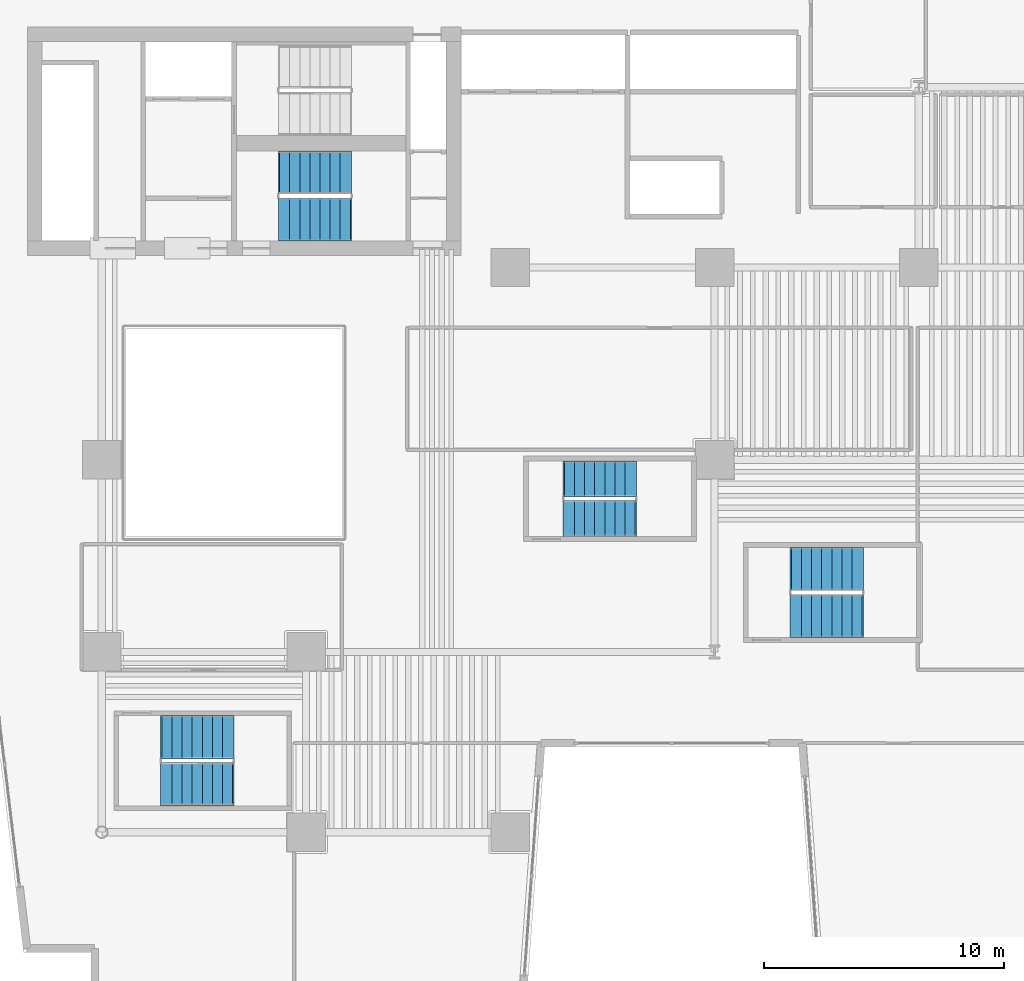
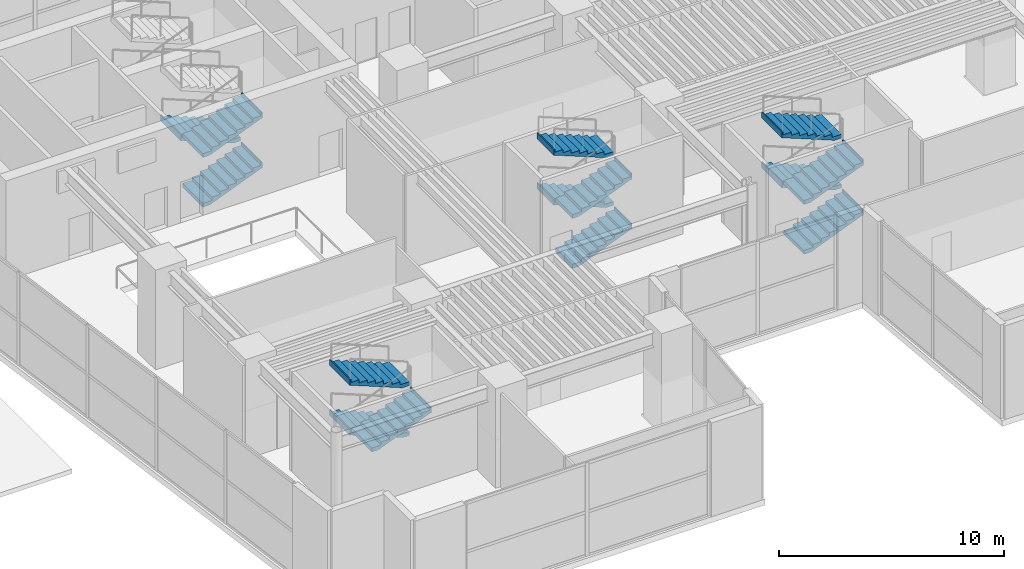
# One storey, part 12 of 17: 14 stair flights, 4 elements without a shape of their own.
"""IFC4 building model written with IfcOpenShell, lengths in metres."""

from ifc_helpers import new_model, si_unit, direction, frame, origin, place, context, subcontext, project, spatial, polyline, outline, extrude, material, type_object, element, aggregate, save


model = new_model("IFC4")

# Units and contexts
model_context = context("Model", 3, precision=1e-05, world=origin(), true_north=direction((0.0, 1.0)))
body_context = subcontext(model_context, "Body", "Model", "MODEL_VIEW")
ifc_project = project(units=[si_unit("LENGTHUNIT", "METRE"), si_unit("AREAUNIT", "SQUARE_METRE"), si_unit("VOLUMEUNIT", "CUBIC_METRE"), si_unit("PLANEANGLEUNIT", "RADIAN"), si_unit("MASSUNIT", "GRAM", prefix="KILO")], contexts=[model_context])

# Site, building, storey
site_placement = place(None, origin())
site = spatial("IfcSite", under=ifc_project, at=site_placement, CompositionType="ELEMENT")
building_placement = place(site_placement, origin())
building = spatial("IfcBuilding", under=site, at=building_placement, Name="Caeloran Harvest Quay", CompositionType="ELEMENT")
storey_placement = place(building_placement, frame((0.0, 0.0, 5.39990234375)))
storey = spatial("IfcBuildingStorey", under=building, at=storey_placement, Name="L02", CompositionType="ELEMENT", Elevation=5.39990234375)

# Stair, stair flights
ifc_material = material(Name="Concrete C50/60", Category="concrete")
stair_type_1 = type_object("IfcStairType", Name="STAIR-STC-180", PredefinedType="HALF_TURN_STAIR", material=ifc_material)
stair_1_placement = place(storey_placement, origin())
stair_1 = element("IfcStair", 1, at=stair_1_placement, inside=storey, type_object=stair_type_1, Name="L02 Core Pressurized Exit Stair ST-C2", PredefinedType="HALF_TURN_STAIR")
stair_flight_type_1 = type_object("IfcStairFlightType", Name="FLIGHT-STC-180", PredefinedType="STRAIGHT", material=ifc_material)
stair_flight_1_placement = place(storey_placement, frame((15.89990234375, 33.0, 0.0), z_axis=(0.0, 0.0, 1.0), x_axis=(1.0, 0.0, 0.0)))
stair_flight_1 = element("IfcStairFlight", 2, at=stair_flight_1_placement, type_object=stair_flight_type_1, Name="ST-C2 flight 1", NumberOfRisers=8, NumberOfTreads=7, PredefinedType="STRAIGHT", RiserHeight=0.16875, TreadLength=0.42, context=body_context, shape_type="SweptSolid", body=[
    extrude(outline(polyline([(-0.054931640625, -0.044921875), (-0.054931640625, -0.03173828125), (-0.054931640625, -0.018310546875), (-0.054931640625, -0.0048828125), (-0.054931640625, 0.008544921875), (-0.054931640625, 0.021728515625), (-0.054931640625, 0.03515625), (-0.054931640625, 0.048583984375), (-0.054931640625, 0.061767578125), (-0.054931640625, 0.0751953125), (-0.054931640625, 0.088623046875), (-0.054931640625, 0.10205078125), (-0.054931640625, 0.115234375), (-0.054931640625, 0.128662109375), (-0.054931640625, 0.14208984375), (-0.054931640625, 0.1552734375), (-0.054931640625, 0.168701171875), (0.419921875, 0.168701171875), (0.419921875, 0.33740234375), (0.840087890625, 0.33740234375), (0.840087890625, 0.50634765625), (1.260009765625, 0.50634765625), (1.260009765625, 0.675048828125), (1.679931640625, 0.675048828125), (1.679931640625, 0.84375), (2.10009765625, 0.84375), (2.10009765625, 1.012451171875), (2.52001953125, 1.012451171875), (2.52001953125, 1.18115234375), (2.93994140625, 1.18115234375), (2.93994140625, 1.35009765625), (2.9951171875, 1.35009765625), (2.9951171875, 1.329345703125), (2.9951171875, 1.30859375), (2.9951171875, 1.2880859375), (2.9951171875, 1.267333984375), (2.9951171875, 1.246826171875), (2.9951171875, 1.22607421875), (2.9951171875, 1.20556640625), (2.9951171875, 1.184814453125), (2.9951171875, 1.164306640625), (2.9951171875, 1.1435546875), (2.9951171875, 1.122802734375), (2.9951171875, 1.102294921875), (2.9951171875, 1.08154296875), (2.9951171875, 1.06103515625), (2.9951171875, 1.040283203125), (2.9951171875, 1.019775390625), (2.93994140625, 1.019775390625), (0.2900390625, -0.044921875), (-0.054931640625, -0.044921875)])), frame((0.0, 0.89990234375, 0.0), z_axis=(0.0, -1.0, 0.0), x_axis=(1.0, 0.0, 0.0)), (0.0, 0.0, 1.0), 1.800048828125),
])
stair_flight_2_placement = place(storey_placement, frame((18.840087890625, 34.949951171875, 1.35009765625), z_axis=(0.0, 0.0, 1.0), x_axis=(-1.0, 0.0, 0.0)))
stair_flight_2 = element("IfcStairFlight", 3, at=stair_flight_2_placement, type_object=stair_flight_type_1, Name="ST-C2 flight 2", NumberOfRisers=8, NumberOfTreads=7, PredefinedType="STRAIGHT", RiserHeight=0.16875, TreadLength=0.42, context=body_context, shape_type="SweptSolid", body=[
    extrude(outline(polyline([(-0.054931640625, -0.044921875), (-0.054931640625, -0.03173828125), (-0.054931640625, -0.018310546875), (-0.054931640625, -0.0048828125), (-0.054931640625, 0.008544921875), (-0.054931640625, 0.021728515625), (-0.054931640625, 0.03515625), (-0.054931640625, 0.048583984375), (-0.054931640625, 0.061767578125), (-0.054931640625, 0.0751953125), (-0.054931640625, 0.088623046875), (-0.054931640625, 0.10205078125), (-0.054931640625, 0.115234375), (-0.054931640625, 0.128662109375), (-0.054931640625, 0.14208984375), (-0.054931640625, 0.1552734375), (-0.054931640625, 0.168701171875), (0.419921875, 0.168701171875), (0.419921875, 0.33740234375), (0.840087890625, 0.33740234375), (0.840087890625, 0.50634765625), (1.260009765625, 0.50634765625), (1.260009765625, 0.675048828125), (1.679931640625, 0.675048828125), (1.679931640625, 0.84375), (2.10009765625, 0.84375), (2.10009765625, 1.012451171875), (2.52001953125, 1.012451171875), (2.52001953125, 1.18115234375), (2.93994140625, 1.18115234375), (2.93994140625, 1.35009765625), (2.9951171875, 1.35009765625), (2.9951171875, 1.329345703125), (2.9951171875, 1.30859375), (2.9951171875, 1.2880859375), (2.9951171875, 1.267333984375), (2.9951171875, 1.246826171875), (2.9951171875, 1.22607421875), (2.9951171875, 1.20556640625), (2.9951171875, 1.184814453125), (2.9951171875, 1.164306640625), (2.9951171875, 1.1435546875), (2.9951171875, 1.122802734375), (2.9951171875, 1.102294921875), (2.9951171875, 1.08154296875), (2.9951171875, 1.06103515625), (2.9951171875, 1.040283203125), (2.9951171875, 1.019775390625), (2.93994140625, 1.019775390625), (0.2900390625, -0.044921875), (-0.054931640625, -0.044921875)])), frame((0.0, 0.89990234375, 0.0), z_axis=(0.0, -1.0, 0.0), x_axis=(1.0, 0.0, 0.0)), (0.0, 0.0, 1.0), 1.800048828125),
])
stair_flight_3_placement = place(storey_placement, frame((15.89990234375, 33.0, 2.7001953125), z_axis=(0.0, 0.0, 1.0), x_axis=(1.0, 0.0, 0.0)))
stair_flight_3 = element("IfcStairFlight", 4, at=stair_flight_3_placement, type_object=stair_flight_type_1, Name="ST-C2 flight 3", NumberOfRisers=8, NumberOfTreads=7, PredefinedType="STRAIGHT", RiserHeight=0.16875, TreadLength=0.42, context=body_context, shape_type="SweptSolid", body=[
    extrude(outline(polyline([(-0.054931640625, -0.044921875), (-0.054931640625, -0.03173828125), (-0.054931640625, -0.018310546875), (-0.054931640625, -0.0048828125), (-0.054931640625, 0.008544921875), (-0.054931640625, 0.021728515625), (-0.054931640625, 0.03515625), (-0.054931640625, 0.048583984375), (-0.054931640625, 0.061767578125), (-0.054931640625, 0.0751953125), (-0.054931640625, 0.088623046875), (-0.054931640625, 0.10205078125), (-0.054931640625, 0.115234375), (-0.054931640625, 0.128662109375), (-0.054931640625, 0.14208984375), (-0.054931640625, 0.1552734375), (-0.054931640625, 0.168701171875), (0.419921875, 0.168701171875), (0.419921875, 0.33740234375), (0.840087890625, 0.33740234375), (0.840087890625, 0.50634765625), (1.260009765625, 0.50634765625), (1.260009765625, 0.675048828125), (1.679931640625, 0.675048828125), (1.679931640625, 0.84375), (2.10009765625, 0.84375), (2.10009765625, 1.012451171875), (2.52001953125, 1.012451171875), (2.52001953125, 1.18115234375), (2.93994140625, 1.18115234375), (2.93994140625, 1.35009765625), (2.9951171875, 1.35009765625), (2.9951171875, 1.329345703125), (2.9951171875, 1.30859375), (2.9951171875, 1.2880859375), (2.9951171875, 1.267333984375), (2.9951171875, 1.246826171875), (2.9951171875, 1.22607421875), (2.9951171875, 1.20556640625), (2.9951171875, 1.184814453125), (2.9951171875, 1.164306640625), (2.9951171875, 1.1435546875), (2.9951171875, 1.122802734375), (2.9951171875, 1.102294921875), (2.9951171875, 1.08154296875), (2.9951171875, 1.06103515625), (2.9951171875, 1.040283203125), (2.9951171875, 1.019775390625), (2.93994140625, 1.019775390625), (0.2900390625, -0.044921875), (-0.054931640625, -0.044921875)])), frame((0.0, 0.89990234375, 0.0), z_axis=(0.0, -1.0, 0.0), x_axis=(1.0, 0.0, 0.0)), (0.0, 0.0, 1.0), 1.800048828125),
])
aggregate(stair_1, [stair_flight_1, stair_flight_2, stair_flight_3])

stair_type_2 = type_object("IfcStairType", Name="STAIR-STP-180", PredefinedType="HALF_TURN_STAIR", material=ifc_material)
stair_2_placement = place(storey_placement, origin())
stair_2 = element("IfcStair", 5, at=stair_2_placement, inside=storey, type_object=stair_type_2, Name="L02 Podium West Public Exit Stair ST-P1", PredefinedType="HALF_TURN_STAIR")
stair_flight_type_2 = type_object("IfcStairFlightType", Name="FLIGHT-STP-180", PredefinedType="STRAIGHT", material=ifc_material)
stair_flight_4_placement = place(storey_placement, frame((13.93994140625, 11.449951171875, 1.35009765625), z_axis=(0.0, 0.0, 1.0), x_axis=(-1.0, 0.0, 0.0)))
stair_flight_4 = element("IfcStairFlight", 6, at=stair_flight_4_placement, type_object=stair_flight_type_2, Name="ST-P1 flight 2", NumberOfRisers=8, NumberOfTreads=7, PredefinedType="STRAIGHT", RiserHeight=0.16875, TreadLength=0.42, context=body_context, shape_type="SweptSolid", body=[
    extrude(outline(polyline([(-0.054931640625, -0.044921875), (-0.054931640625, -0.03173828125), (-0.054931640625, -0.018310546875), (-0.054931640625, -0.0048828125), (-0.054931640625, 0.008544921875), (-0.054931640625, 0.021728515625), (-0.054931640625, 0.03515625), (-0.054931640625, 0.048583984375), (-0.054931640625, 0.061767578125), (-0.054931640625, 0.0751953125), (-0.054931640625, 0.088623046875), (-0.054931640625, 0.10205078125), (-0.054931640625, 0.115234375), (-0.054931640625, 0.128662109375), (-0.054931640625, 0.14208984375), (-0.054931640625, 0.1552734375), (-0.054931640625, 0.168701171875), (0.419921875, 0.168701171875), (0.419921875, 0.33740234375), (0.840087890625, 0.33740234375), (0.840087890625, 0.50634765625), (1.260009765625, 0.50634765625), (1.260009765625, 0.675048828125), (1.679931640625, 0.675048828125), (1.679931640625, 0.84375), (2.10009765625, 0.84375), (2.10009765625, 1.012451171875), (2.52001953125, 1.012451171875), (2.52001953125, 1.18115234375), (2.93994140625, 1.18115234375), (2.93994140625, 1.35009765625), (2.9951171875, 1.35009765625), (2.9951171875, 1.329345703125), (2.9951171875, 1.30859375), (2.9951171875, 1.2880859375), (2.9951171875, 1.267333984375), (2.9951171875, 1.246826171875), (2.9951171875, 1.22607421875), (2.9951171875, 1.20556640625), (2.9951171875, 1.184814453125), (2.9951171875, 1.164306640625), (2.9951171875, 1.1435546875), (2.9951171875, 1.122802734375), (2.9951171875, 1.102294921875), (2.9951171875, 1.08154296875), (2.9951171875, 1.06103515625), (2.9951171875, 1.040283203125), (2.9951171875, 1.019775390625), (2.93994140625, 1.019775390625), (0.2900390625, -0.044921875), (-0.054931640625, -0.044921875)])), frame((0.0, 0.89990234375, 0.0), z_axis=(0.0, -1.0, 0.0), x_axis=(1.0, 0.0, 0.0)), (0.0, 0.0, 1.0), 1.800048828125),
])
stair_flight_5_placement = place(storey_placement, frame((11.0, 9.5, 2.7001953125), z_axis=(0.0, 0.0, 1.0), x_axis=(1.0, 0.0, 0.0)))
stair_flight_5 = element("IfcStairFlight", 7, at=stair_flight_5_placement, type_object=stair_flight_type_2, Name="ST-P1 flight 3", NumberOfRisers=8, NumberOfTreads=7, PredefinedType="STRAIGHT", RiserHeight=0.16875, TreadLength=0.42, context=body_context, shape_type="SweptSolid", body=[
    extrude(outline(polyline([(-0.054931640625, -0.044921875), (-0.054931640625, -0.03173828125), (-0.054931640625, -0.018310546875), (-0.054931640625, -0.0048828125), (-0.054931640625, 0.008544921875), (-0.054931640625, 0.021728515625), (-0.054931640625, 0.03515625), (-0.054931640625, 0.048583984375), (-0.054931640625, 0.061767578125), (-0.054931640625, 0.0751953125), (-0.054931640625, 0.088623046875), (-0.054931640625, 0.10205078125), (-0.054931640625, 0.115234375), (-0.054931640625, 0.128662109375), (-0.054931640625, 0.14208984375), (-0.054931640625, 0.1552734375), (-0.054931640625, 0.168701171875), (0.419921875, 0.168701171875), (0.419921875, 0.33740234375), (0.840087890625, 0.33740234375), (0.840087890625, 0.50634765625), (1.260009765625, 0.50634765625), (1.260009765625, 0.675048828125), (1.679931640625, 0.675048828125), (1.679931640625, 0.84375), (2.10009765625, 0.84375), (2.10009765625, 1.012451171875), (2.52001953125, 1.012451171875), (2.52001953125, 1.18115234375), (2.93994140625, 1.18115234375), (2.93994140625, 1.35009765625), (2.9951171875, 1.35009765625), (2.9951171875, 1.329345703125), (2.9951171875, 1.30859375), (2.9951171875, 1.2880859375), (2.9951171875, 1.267333984375), (2.9951171875, 1.246826171875), (2.9951171875, 1.22607421875), (2.9951171875, 1.20556640625), (2.9951171875, 1.184814453125), (2.9951171875, 1.164306640625), (2.9951171875, 1.1435546875), (2.9951171875, 1.122802734375), (2.9951171875, 1.102294921875), (2.9951171875, 1.08154296875), (2.9951171875, 1.06103515625), (2.9951171875, 1.040283203125), (2.9951171875, 1.019775390625), (2.93994140625, 1.019775390625), (0.2900390625, -0.044921875), (-0.054931640625, -0.044921875)])), frame((0.0, 0.89990234375, 0.0), z_axis=(0.0, -1.0, 0.0), x_axis=(1.0, 0.0, 0.0)), (0.0, 0.0, 1.0), 1.800048828125),
])
stair_flight_6_placement = place(storey_placement, frame((13.93994140625, 11.449951171875, 4.050048828125), z_axis=(0.0, 0.0, 1.0), x_axis=(-1.0, 0.0, 0.0)))
stair_flight_6 = element("IfcStairFlight", 8, at=stair_flight_6_placement, type_object=stair_flight_type_2, Name="ST-P1 flight 4", NumberOfRisers=8, NumberOfTreads=7, PredefinedType="STRAIGHT", RiserHeight=0.16875, TreadLength=0.42, context=body_context, shape_type="SweptSolid", body=[
    extrude(outline(polyline([(-0.054931640625, -0.044921875), (-0.054931640625, -0.03173828125), (-0.054931640625, -0.018310546875), (-0.054931640625, -0.0048828125), (-0.054931640625, 0.008544921875), (-0.054931640625, 0.021728515625), (-0.054931640625, 0.03515625), (-0.054931640625, 0.048583984375), (-0.054931640625, 0.061767578125), (-0.054931640625, 0.0751953125), (-0.054931640625, 0.088623046875), (-0.054931640625, 0.10205078125), (-0.054931640625, 0.115234375), (-0.054931640625, 0.128662109375), (-0.054931640625, 0.14208984375), (-0.054931640625, 0.1552734375), (-0.054931640625, 0.168701171875), (0.419921875, 0.168701171875), (0.419921875, 0.33740234375), (0.840087890625, 0.33740234375), (0.840087890625, 0.50634765625), (1.260009765625, 0.50634765625), (1.260009765625, 0.675048828125), (1.679931640625, 0.675048828125), (1.679931640625, 0.84375), (2.10009765625, 0.84375), (2.10009765625, 1.012451171875), (2.52001953125, 1.012451171875), (2.52001953125, 1.18115234375), (2.93994140625, 1.18115234375), (2.93994140625, 1.35009765625), (2.9951171875, 1.35009765625), (2.9951171875, 1.329345703125), (2.9951171875, 1.30859375), (2.9951171875, 1.2880859375), (2.9951171875, 1.267333984375), (2.9951171875, 1.246826171875), (2.9951171875, 1.22607421875), (2.9951171875, 1.20556640625), (2.9951171875, 1.184814453125), (2.9951171875, 1.164306640625), (2.9951171875, 1.1435546875), (2.9951171875, 1.122802734375), (2.9951171875, 1.102294921875), (2.9951171875, 1.08154296875), (2.9951171875, 1.06103515625), (2.9951171875, 1.040283203125), (2.9951171875, 1.019775390625), (2.93994140625, 1.019775390625), (0.2900390625, -0.044921875), (-0.054931640625, -0.044921875)])), frame((0.0, 0.89990234375, 0.0), z_axis=(0.0, -1.0, 0.0), x_axis=(1.0, 0.0, 0.0)), (0.0, 0.0, 1.0), 1.800048828125),
])
aggregate(stair_2, [stair_flight_4, stair_flight_5, stair_flight_6])

stair_3_placement = place(storey_placement, origin())
stair_3 = element("IfcStair", 9, at=stair_3_placement, inside=storey, type_object=stair_type_2, Name="L02 Podium East Public Exit Stair ST-P2", PredefinedType="HALF_TURN_STAIR")
stair_flight_7_placement = place(storey_placement, frame((37.199951171875, 16.5, 0.0), z_axis=(0.0, 0.0, 1.0), x_axis=(1.0, 0.0, 0.0)))
stair_flight_7 = element("IfcStairFlight", 10, at=stair_flight_7_placement, type_object=stair_flight_type_2, Name="ST-P2 flight 1", NumberOfRisers=8, NumberOfTreads=7, PredefinedType="STRAIGHT", RiserHeight=0.16875, TreadLength=0.42, context=body_context, shape_type="SweptSolid", body=[
    extrude(outline(polyline([(-0.054931640625, -0.044921875), (-0.054931640625, -0.03173828125), (-0.054931640625, -0.018310546875), (-0.054931640625, -0.0048828125), (-0.054931640625, 0.008544921875), (-0.054931640625, 0.021728515625), (-0.054931640625, 0.03515625), (-0.054931640625, 0.048583984375), (-0.054931640625, 0.061767578125), (-0.054931640625, 0.0751953125), (-0.054931640625, 0.088623046875), (-0.054931640625, 0.10205078125), (-0.054931640625, 0.115234375), (-0.054931640625, 0.128662109375), (-0.054931640625, 0.14208984375), (-0.054931640625, 0.1552734375), (-0.054931640625, 0.168701171875), (0.419921875, 0.168701171875), (0.419921875, 0.33740234375), (0.840087890625, 0.33740234375), (0.840087890625, 0.50634765625), (1.260009765625, 0.50634765625), (1.260009765625, 0.675048828125), (1.679931640625, 0.675048828125), (1.679931640625, 0.84375), (2.10009765625, 0.84375), (2.10009765625, 1.012451171875), (2.52001953125, 1.012451171875), (2.52001953125, 1.18115234375), (2.93994140625, 1.18115234375), (2.93994140625, 1.35009765625), (2.9951171875, 1.35009765625), (2.9951171875, 1.329345703125), (2.9951171875, 1.30859375), (2.9951171875, 1.2880859375), (2.9951171875, 1.267333984375), (2.9951171875, 1.246826171875), (2.9951171875, 1.22607421875), (2.9951171875, 1.20556640625), (2.9951171875, 1.184814453125), (2.9951171875, 1.164306640625), (2.9951171875, 1.1435546875), (2.9951171875, 1.122802734375), (2.9951171875, 1.102294921875), (2.9951171875, 1.08154296875), (2.9951171875, 1.06103515625), (2.9951171875, 1.040283203125), (2.9951171875, 1.019775390625), (2.93994140625, 1.019775390625), (0.2900390625, -0.044921875), (-0.054931640625, -0.044921875)])), frame((0.0, 0.89990234375, 0.0), z_axis=(0.0, -1.0, 0.0), x_axis=(1.0, 0.0, 0.0)), (0.0, 0.0, 1.0), 1.800048828125),
])
stair_flight_8_placement = place(storey_placement, frame((40.139892578125, 18.449951171875, 1.35009765625), z_axis=(0.0, 0.0, 1.0), x_axis=(-1.0, 0.0, 0.0)))
stair_flight_8 = element("IfcStairFlight", 11, at=stair_flight_8_placement, type_object=stair_flight_type_2, Name="ST-P2 flight 2", NumberOfRisers=8, NumberOfTreads=7, PredefinedType="STRAIGHT", RiserHeight=0.16875, TreadLength=0.42, context=body_context, shape_type="SweptSolid", body=[
    extrude(outline(polyline([(-0.054931640625, -0.044921875), (-0.054931640625, -0.03173828125), (-0.054931640625, -0.018310546875), (-0.054931640625, -0.0048828125), (-0.054931640625, 0.008544921875), (-0.054931640625, 0.021728515625), (-0.054931640625, 0.03515625), (-0.054931640625, 0.048583984375), (-0.054931640625, 0.061767578125), (-0.054931640625, 0.0751953125), (-0.054931640625, 0.088623046875), (-0.054931640625, 0.10205078125), (-0.054931640625, 0.115234375), (-0.054931640625, 0.128662109375), (-0.054931640625, 0.14208984375), (-0.054931640625, 0.1552734375), (-0.054931640625, 0.168701171875), (0.419921875, 0.168701171875), (0.419921875, 0.33740234375), (0.840087890625, 0.33740234375), (0.840087890625, 0.50634765625), (1.260009765625, 0.50634765625), (1.260009765625, 0.675048828125), (1.679931640625, 0.675048828125), (1.679931640625, 0.84375), (2.10009765625, 0.84375), (2.10009765625, 1.012451171875), (2.52001953125, 1.012451171875), (2.52001953125, 1.18115234375), (2.93994140625, 1.18115234375), (2.93994140625, 1.35009765625), (2.9951171875, 1.35009765625), (2.9951171875, 1.329345703125), (2.9951171875, 1.30859375), (2.9951171875, 1.2880859375), (2.9951171875, 1.267333984375), (2.9951171875, 1.246826171875), (2.9951171875, 1.22607421875), (2.9951171875, 1.20556640625), (2.9951171875, 1.184814453125), (2.9951171875, 1.164306640625), (2.9951171875, 1.1435546875), (2.9951171875, 1.122802734375), (2.9951171875, 1.102294921875), (2.9951171875, 1.08154296875), (2.9951171875, 1.06103515625), (2.9951171875, 1.040283203125), (2.9951171875, 1.019775390625), (2.93994140625, 1.019775390625), (0.2900390625, -0.044921875), (-0.054931640625, -0.044921875)])), frame((0.0, 0.89990234375, 0.0), z_axis=(0.0, -1.0, 0.0), x_axis=(1.0, 0.0, 0.0)), (0.0, 0.0, 1.0), 1.800048828125),
])
stair_flight_9_placement = place(storey_placement, frame((37.199951171875, 16.5, 2.7001953125), z_axis=(0.0, 0.0, 1.0), x_axis=(1.0, 0.0, 0.0)))
stair_flight_9 = element("IfcStairFlight", 12, at=stair_flight_9_placement, type_object=stair_flight_type_2, Name="ST-P2 flight 3", NumberOfRisers=8, NumberOfTreads=7, PredefinedType="STRAIGHT", RiserHeight=0.16875, TreadLength=0.42, context=body_context, shape_type="SweptSolid", body=[
    extrude(outline(polyline([(-0.054931640625, -0.044921875), (-0.054931640625, -0.03173828125), (-0.054931640625, -0.018310546875), (-0.054931640625, -0.0048828125), (-0.054931640625, 0.008544921875), (-0.054931640625, 0.021728515625), (-0.054931640625, 0.03515625), (-0.054931640625, 0.048583984375), (-0.054931640625, 0.061767578125), (-0.054931640625, 0.0751953125), (-0.054931640625, 0.088623046875), (-0.054931640625, 0.10205078125), (-0.054931640625, 0.115234375), (-0.054931640625, 0.128662109375), (-0.054931640625, 0.14208984375), (-0.054931640625, 0.1552734375), (-0.054931640625, 0.168701171875), (0.419921875, 0.168701171875), (0.419921875, 0.33740234375), (0.840087890625, 0.33740234375), (0.840087890625, 0.50634765625), (1.260009765625, 0.50634765625), (1.260009765625, 0.675048828125), (1.679931640625, 0.675048828125), (1.679931640625, 0.84375), (2.10009765625, 0.84375), (2.10009765625, 1.012451171875), (2.52001953125, 1.012451171875), (2.52001953125, 1.18115234375), (2.93994140625, 1.18115234375), (2.93994140625, 1.35009765625), (2.9951171875, 1.35009765625), (2.9951171875, 1.329345703125), (2.9951171875, 1.30859375), (2.9951171875, 1.2880859375), (2.9951171875, 1.267333984375), (2.9951171875, 1.246826171875), (2.9951171875, 1.22607421875), (2.9951171875, 1.20556640625), (2.9951171875, 1.184814453125), (2.9951171875, 1.164306640625), (2.9951171875, 1.1435546875), (2.9951171875, 1.122802734375), (2.9951171875, 1.102294921875), (2.9951171875, 1.08154296875), (2.9951171875, 1.06103515625), (2.9951171875, 1.040283203125), (2.9951171875, 1.019775390625), (2.93994140625, 1.019775390625), (0.2900390625, -0.044921875), (-0.054931640625, -0.044921875)])), frame((0.0, 0.89990234375, 0.0), z_axis=(0.0, -1.0, 0.0), x_axis=(1.0, 0.0, 0.0)), (0.0, 0.0, 1.0), 1.800048828125),
])
stair_flight_10_placement = place(storey_placement, frame((40.139892578125, 18.449951171875, 4.050048828125), z_axis=(0.0, 0.0, 1.0), x_axis=(-1.0, 0.0, 0.0)))
stair_flight_10 = element("IfcStairFlight", 13, at=stair_flight_10_placement, type_object=stair_flight_type_2, Name="ST-P2 flight 4", NumberOfRisers=8, NumberOfTreads=7, PredefinedType="STRAIGHT", RiserHeight=0.16875, TreadLength=0.42, context=body_context, shape_type="SweptSolid", body=[
    extrude(outline(polyline([(-0.054931640625, -0.044921875), (-0.054931640625, -0.03173828125), (-0.054931640625, -0.018310546875), (-0.054931640625, -0.0048828125), (-0.054931640625, 0.008544921875), (-0.054931640625, 0.021728515625), (-0.054931640625, 0.03515625), (-0.054931640625, 0.048583984375), (-0.054931640625, 0.061767578125), (-0.054931640625, 0.0751953125), (-0.054931640625, 0.088623046875), (-0.054931640625, 0.10205078125), (-0.054931640625, 0.115234375), (-0.054931640625, 0.128662109375), (-0.054931640625, 0.14208984375), (-0.054931640625, 0.1552734375), (-0.054931640625, 0.168701171875), (0.419921875, 0.168701171875), (0.419921875, 0.33740234375), (0.840087890625, 0.33740234375), (0.840087890625, 0.50634765625), (1.260009765625, 0.50634765625), (1.260009765625, 0.675048828125), (1.679931640625, 0.675048828125), (1.679931640625, 0.84375), (2.10009765625, 0.84375), (2.10009765625, 1.012451171875), (2.52001953125, 1.012451171875), (2.52001953125, 1.18115234375), (2.93994140625, 1.18115234375), (2.93994140625, 1.35009765625), (2.9951171875, 1.35009765625), (2.9951171875, 1.329345703125), (2.9951171875, 1.30859375), (2.9951171875, 1.2880859375), (2.9951171875, 1.267333984375), (2.9951171875, 1.246826171875), (2.9951171875, 1.22607421875), (2.9951171875, 1.20556640625), (2.9951171875, 1.184814453125), (2.9951171875, 1.164306640625), (2.9951171875, 1.1435546875), (2.9951171875, 1.122802734375), (2.9951171875, 1.102294921875), (2.9951171875, 1.08154296875), (2.9951171875, 1.06103515625), (2.9951171875, 1.040283203125), (2.9951171875, 1.019775390625), (2.93994140625, 1.019775390625), (0.2900390625, -0.044921875), (-0.054931640625, -0.044921875)])), frame((0.0, 0.89990234375, 0.0), z_axis=(0.0, -1.0, 0.0), x_axis=(1.0, 0.0, 0.0)), (0.0, 0.0, 1.0), 1.800048828125),
])
aggregate(stair_3, [stair_flight_7, stair_flight_8, stair_flight_9, stair_flight_10])

stair_type_3 = type_object("IfcStairType", Name="STAIR-STW-150", PredefinedType="HALF_TURN_STAIR", material=ifc_material)
stair_4_placement = place(storey_placement, origin())
stair_4 = element("IfcStair", 14, at=stair_4_placement, inside=storey, type_object=stair_type_3, Name="L02 East Wing Protected Exit Stair ST-W1", PredefinedType="HALF_TURN_STAIR")
stair_flight_type_3 = type_object("IfcStairFlightType", Name="FLIGHT-STW-150", PredefinedType="STRAIGHT", material=ifc_material)
stair_flight_11_placement = place(storey_placement, frame((27.75, 20.550048828125, 0.0), z_axis=(0.0, 0.0, 1.0), x_axis=(1.0, 0.0, 0.0)))
stair_flight_11 = element("IfcStairFlight", 15, at=stair_flight_11_placement, type_object=stair_flight_type_3, Name="ST-W1 flight 1", NumberOfRisers=8, NumberOfTreads=7, PredefinedType="STRAIGHT", RiserHeight=0.16875, TreadLength=0.42, context=body_context, shape_type="SweptSolid", body=[
    extrude(outline(polyline([(-0.054931640625, -0.044921875), (-0.054931640625, -0.03173828125), (-0.054931640625, -0.018310546875), (-0.054931640625, -0.0048828125), (-0.054931640625, 0.008544921875), (-0.054931640625, 0.021728515625), (-0.054931640625, 0.03515625), (-0.054931640625, 0.048583984375), (-0.054931640625, 0.061767578125), (-0.054931640625, 0.0751953125), (-0.054931640625, 0.088623046875), (-0.054931640625, 0.10205078125), (-0.054931640625, 0.115234375), (-0.054931640625, 0.128662109375), (-0.054931640625, 0.14208984375), (-0.054931640625, 0.1552734375), (-0.054931640625, 0.168701171875), (0.419921875, 0.168701171875), (0.419921875, 0.33740234375), (0.840087890625, 0.33740234375), (0.840087890625, 0.50634765625), (1.260009765625, 0.50634765625), (1.260009765625, 0.675048828125), (1.679931640625, 0.675048828125), (1.679931640625, 0.84375), (2.10009765625, 0.84375), (2.10009765625, 1.012451171875), (2.52001953125, 1.012451171875), (2.52001953125, 1.18115234375), (2.93994140625, 1.18115234375), (2.93994140625, 1.35009765625), (2.9951171875, 1.35009765625), (2.9951171875, 1.329345703125), (2.9951171875, 1.30859375), (2.9951171875, 1.2880859375), (2.9951171875, 1.267333984375), (2.9951171875, 1.246826171875), (2.9951171875, 1.22607421875), (2.9951171875, 1.20556640625), (2.9951171875, 1.184814453125), (2.9951171875, 1.164306640625), (2.9951171875, 1.1435546875), (2.9951171875, 1.122802734375), (2.9951171875, 1.102294921875), (2.9951171875, 1.08154296875), (2.9951171875, 1.06103515625), (2.9951171875, 1.040283203125), (2.9951171875, 1.019775390625), (2.93994140625, 1.019775390625), (0.2900390625, -0.044921875), (-0.054931640625, -0.044921875)])), frame((0.0, 0.75, 0.0), z_axis=(0.0, -1.0, 0.0), x_axis=(1.0, 0.0, 0.0)), (0.0, 0.0, 1.0), 1.5),
])
stair_flight_12_placement = place(storey_placement, frame((30.68994140625, 22.199951171875, 1.35009765625), z_axis=(0.0, 0.0, 1.0), x_axis=(-1.0, 0.0, 0.0)))
stair_flight_12 = element("IfcStairFlight", 16, at=stair_flight_12_placement, type_object=stair_flight_type_3, Name="ST-W1 flight 2", NumberOfRisers=8, NumberOfTreads=7, PredefinedType="STRAIGHT", RiserHeight=0.16875, TreadLength=0.42, context=body_context, shape_type="SweptSolid", body=[
    extrude(outline(polyline([(-0.054931640625, -0.044921875), (-0.054931640625, -0.03173828125), (-0.054931640625, -0.018310546875), (-0.054931640625, -0.0048828125), (-0.054931640625, 0.008544921875), (-0.054931640625, 0.021728515625), (-0.054931640625, 0.03515625), (-0.054931640625, 0.048583984375), (-0.054931640625, 0.061767578125), (-0.054931640625, 0.0751953125), (-0.054931640625, 0.088623046875), (-0.054931640625, 0.10205078125), (-0.054931640625, 0.115234375), (-0.054931640625, 0.128662109375), (-0.054931640625, 0.14208984375), (-0.054931640625, 0.1552734375), (-0.054931640625, 0.168701171875), (0.419921875, 0.168701171875), (0.419921875, 0.33740234375), (0.840087890625, 0.33740234375), (0.840087890625, 0.50634765625), (1.260009765625, 0.50634765625), (1.260009765625, 0.675048828125), (1.679931640625, 0.675048828125), (1.679931640625, 0.84375), (2.10009765625, 0.84375), (2.10009765625, 1.012451171875), (2.52001953125, 1.012451171875), (2.52001953125, 1.18115234375), (2.93994140625, 1.18115234375), (2.93994140625, 1.35009765625), (2.9951171875, 1.35009765625), (2.9951171875, 1.329345703125), (2.9951171875, 1.30859375), (2.9951171875, 1.2880859375), (2.9951171875, 1.267333984375), (2.9951171875, 1.246826171875), (2.9951171875, 1.22607421875), (2.9951171875, 1.20556640625), (2.9951171875, 1.184814453125), (2.9951171875, 1.164306640625), (2.9951171875, 1.1435546875), (2.9951171875, 1.122802734375), (2.9951171875, 1.102294921875), (2.9951171875, 1.08154296875), (2.9951171875, 1.06103515625), (2.9951171875, 1.040283203125), (2.9951171875, 1.019775390625), (2.93994140625, 1.019775390625), (0.2900390625, -0.044921875), (-0.054931640625, -0.044921875)])), frame((0.0, 0.75, 0.0), z_axis=(0.0, -1.0, 0.0), x_axis=(1.0, 0.0, 0.0)), (0.0, 0.0, 1.0), 1.5),
])
stair_flight_13_placement = place(storey_placement, frame((27.75, 20.550048828125, 2.7001953125), z_axis=(0.0, 0.0, 1.0), x_axis=(1.0, 0.0, 0.0)))
stair_flight_13 = element("IfcStairFlight", 17, at=stair_flight_13_placement, type_object=stair_flight_type_3, Name="ST-W1 flight 3", NumberOfRisers=8, NumberOfTreads=7, PredefinedType="STRAIGHT", RiserHeight=0.16875, TreadLength=0.42, context=body_context, shape_type="SweptSolid", body=[
    extrude(outline(polyline([(-0.054931640625, -0.044921875), (-0.054931640625, -0.03173828125), (-0.054931640625, -0.018310546875), (-0.054931640625, -0.0048828125), (-0.054931640625, 0.008544921875), (-0.054931640625, 0.021728515625), (-0.054931640625, 0.03515625), (-0.054931640625, 0.048583984375), (-0.054931640625, 0.061767578125), (-0.054931640625, 0.0751953125), (-0.054931640625, 0.088623046875), (-0.054931640625, 0.10205078125), (-0.054931640625, 0.115234375), (-0.054931640625, 0.128662109375), (-0.054931640625, 0.14208984375), (-0.054931640625, 0.1552734375), (-0.054931640625, 0.168701171875), (0.419921875, 0.168701171875), (0.419921875, 0.33740234375), (0.840087890625, 0.33740234375), (0.840087890625, 0.50634765625), (1.260009765625, 0.50634765625), (1.260009765625, 0.675048828125), (1.679931640625, 0.675048828125), (1.679931640625, 0.84375), (2.10009765625, 0.84375), (2.10009765625, 1.012451171875), (2.52001953125, 1.012451171875), (2.52001953125, 1.18115234375), (2.93994140625, 1.18115234375), (2.93994140625, 1.35009765625), (2.9951171875, 1.35009765625), (2.9951171875, 1.329345703125), (2.9951171875, 1.30859375), (2.9951171875, 1.2880859375), (2.9951171875, 1.267333984375), (2.9951171875, 1.246826171875), (2.9951171875, 1.22607421875), (2.9951171875, 1.20556640625), (2.9951171875, 1.184814453125), (2.9951171875, 1.164306640625), (2.9951171875, 1.1435546875), (2.9951171875, 1.122802734375), (2.9951171875, 1.102294921875), (2.9951171875, 1.08154296875), (2.9951171875, 1.06103515625), (2.9951171875, 1.040283203125), (2.9951171875, 1.019775390625), (2.93994140625, 1.019775390625), (0.2900390625, -0.044921875), (-0.054931640625, -0.044921875)])), frame((0.0, 0.75, 0.0), z_axis=(0.0, -1.0, 0.0), x_axis=(1.0, 0.0, 0.0)), (0.0, 0.0, 1.0), 1.5),
])
stair_flight_14_placement = place(storey_placement, frame((30.68994140625, 22.199951171875, 4.050048828125), z_axis=(0.0, 0.0, 1.0), x_axis=(-1.0, 0.0, 0.0)))
stair_flight_14 = element("IfcStairFlight", 18, at=stair_flight_14_placement, type_object=stair_flight_type_3, Name="ST-W1 flight 4", NumberOfRisers=8, NumberOfTreads=7, PredefinedType="STRAIGHT", RiserHeight=0.16875, TreadLength=0.42, context=body_context, shape_type="SweptSolid", body=[
    extrude(outline(polyline([(-0.054931640625, -0.044921875), (-0.054931640625, -0.03173828125), (-0.054931640625, -0.018310546875), (-0.054931640625, -0.0048828125), (-0.054931640625, 0.008544921875), (-0.054931640625, 0.021728515625), (-0.054931640625, 0.03515625), (-0.054931640625, 0.048583984375), (-0.054931640625, 0.061767578125), (-0.054931640625, 0.0751953125), (-0.054931640625, 0.088623046875), (-0.054931640625, 0.10205078125), (-0.054931640625, 0.115234375), (-0.054931640625, 0.128662109375), (-0.054931640625, 0.14208984375), (-0.054931640625, 0.1552734375), (-0.054931640625, 0.168701171875), (0.419921875, 0.168701171875), (0.419921875, 0.33740234375), (0.840087890625, 0.33740234375), (0.840087890625, 0.50634765625), (1.260009765625, 0.50634765625), (1.260009765625, 0.675048828125), (1.679931640625, 0.675048828125), (1.679931640625, 0.84375), (2.10009765625, 0.84375), (2.10009765625, 1.012451171875), (2.52001953125, 1.012451171875), (2.52001953125, 1.18115234375), (2.93994140625, 1.18115234375), (2.93994140625, 1.35009765625), (2.9951171875, 1.35009765625), (2.9951171875, 1.329345703125), (2.9951171875, 1.30859375), (2.9951171875, 1.2880859375), (2.9951171875, 1.267333984375), (2.9951171875, 1.246826171875), (2.9951171875, 1.22607421875), (2.9951171875, 1.20556640625), (2.9951171875, 1.184814453125), (2.9951171875, 1.164306640625), (2.9951171875, 1.1435546875), (2.9951171875, 1.122802734375), (2.9951171875, 1.102294921875), (2.9951171875, 1.08154296875), (2.9951171875, 1.06103515625), (2.9951171875, 1.040283203125), (2.9951171875, 1.019775390625), (2.93994140625, 1.019775390625), (0.2900390625, -0.044921875), (-0.054931640625, -0.044921875)])), frame((0.0, 0.75, 0.0), z_axis=(0.0, -1.0, 0.0), x_axis=(1.0, 0.0, 0.0)), (0.0, 0.0, 1.0), 1.5),
])
aggregate(stair_4, [stair_flight_11, stair_flight_12, stair_flight_13, stair_flight_14])

save(model, "model.ifc")
